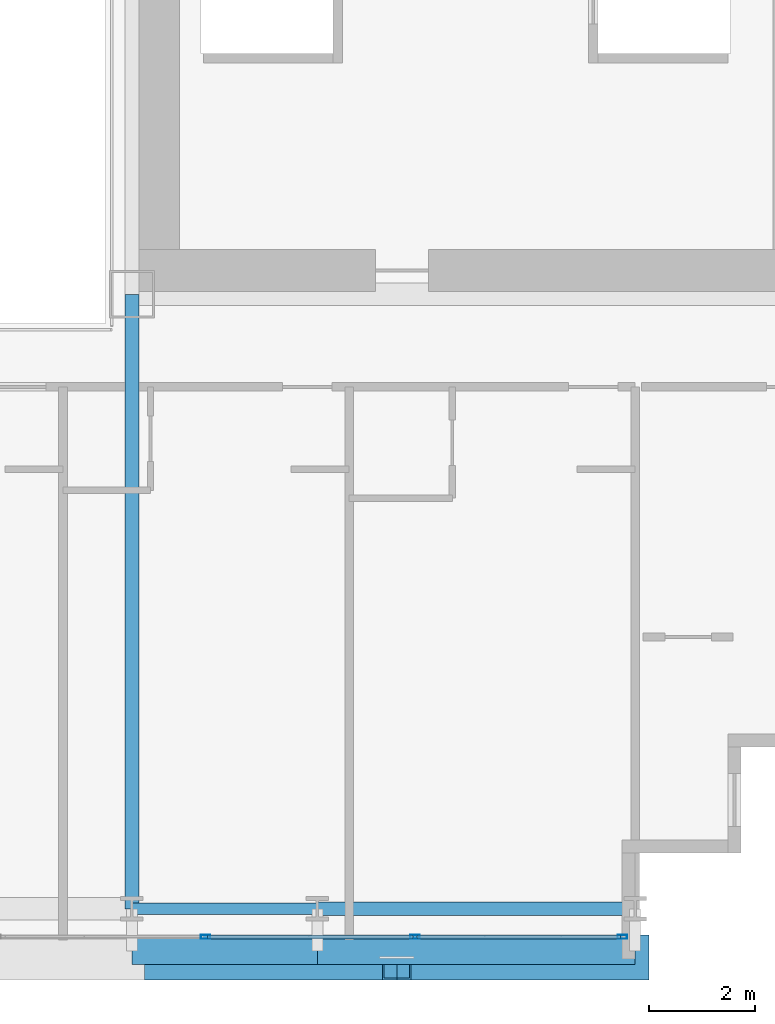
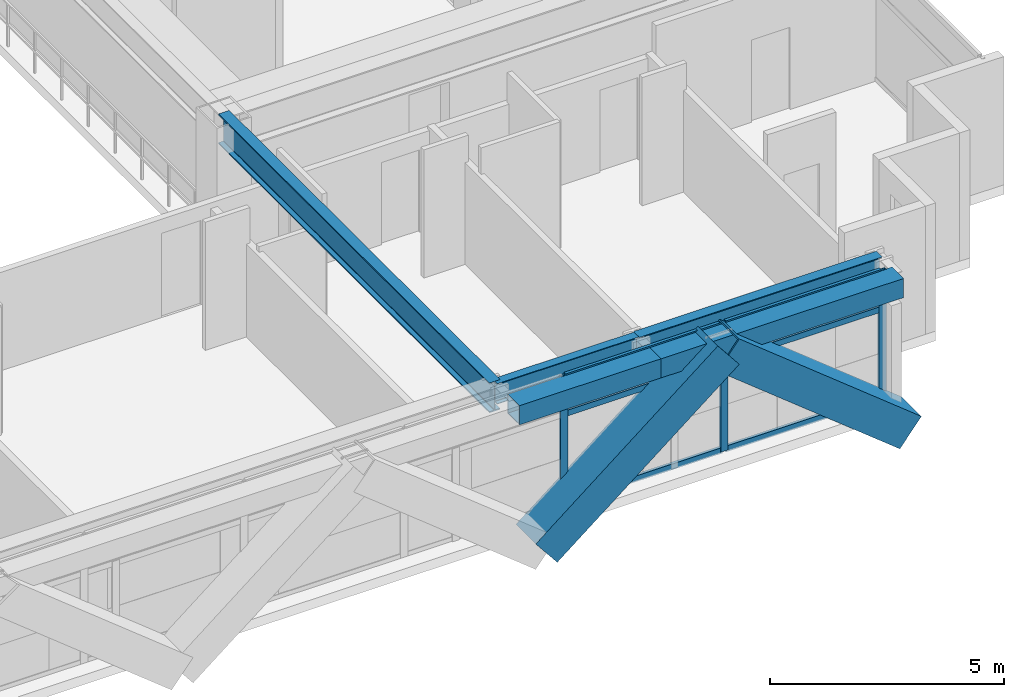
# One storey, part 10 of 35: 11 members, 5 beams, 1 element without a shape of its own.
"""IFC4 building model written with IfcOpenShell, lengths in metres."""

from ifc_helpers import new_model, si_unit, direction, frame, origin, origin_2d, place, context, subcontext, project, spatial, hollow_rectangle, i_section, extrude, source, transform, mapped, material, layer, layer_set, material_profile, profile_set, type_object, element, aggregate, save


model = new_model("IFC4")

# Units and contexts
model_context = context("Model", 3, precision=1e-05, world=origin(), true_north=direction((0.0, 1.0)))
body_context = subcontext(model_context, "Body", "Model", "MODEL_VIEW")
ifc_project = project(units=[si_unit("LENGTHUNIT", "METRE"), si_unit("AREAUNIT", "SQUARE_METRE"), si_unit("VOLUMEUNIT", "CUBIC_METRE"), si_unit("PLANEANGLEUNIT", "RADIAN"), si_unit("MASSUNIT", "GRAM", prefix="KILO")], contexts=[model_context])

# Site, building, storey
site_placement = place(None, origin())
site = spatial("IfcSite", under=ifc_project, at=site_placement, CompositionType="ELEMENT")
building_placement = place(site_placement, origin())
building = spatial("IfcBuilding", under=site, at=building_placement, Name="Ocotamira Hotel", CompositionType="ELEMENT")
storey_placement = place(building_placement, frame((0.0, 0.0, 63.60009765625)))
storey = spatial("IfcBuildingStorey", under=building, at=storey_placement, Name="L15", CompositionType="ELEMENT", Elevation=63.60009765625)

# Beams
ifc_material_1 = material(Name="Steel ASTM A992 Grade 50", Category="steel")
ifc_material_profile_1 = material_profile(ifc_material_1, i_section(OverallWidth=0.256103515625, OverallDepth=0.693115234375, WebThickness=0.014404296875, FlangeThickness=0.023681640625, FilletRadius=0.01611328125, at=origin_2d()), Name="W27X114")
ifc_profile_set_1 = profile_set([ifc_material_profile_1], Name="Steel ASTM A992 Grade 50")
beam_type_1 = type_object("IfcBeamType", Name="BM-PRIM-W27X114", PredefinedType="BEAM", material=ifc_profile_set_1)
shared_shape_1 = source(origin(), body_context, "Body", "SweptSolid", [
    extrude(i_section(OverallWidth=0.256103515625, OverallDepth=0.693115234375, WebThickness=0.014404296875, FlangeThickness=0.023681640625, FilletRadius=0.01611328125, at=origin_2d()), origin(), (0.0, 0.0, 1.0), 6.0),
])
beam_1_placement = place(storey_placement, frame((44.0, 2.949951171875, 3.00341796875), z_axis=(1.0, 0.0, 0.0), x_axis=(0.0, 1.0, 0.0)))
element("IfcBeam", 1, at=beam_1_placement, inside=storey, type_object=beam_type_1, Name="L15 Girder Y2.95 X44-50", PredefinedType="BEAM", context=body_context, shape_type="MappedRepresentation", body=[
    mapped(shared_shape_1, transform((0.0, 0.0, 0.0), scale=1.0)),
])
ifc_material_profile_2 = material_profile(ifc_material_1, i_section(OverallWidth=0.2099609375, OverallDepth=0.537109375, WebThickness=0.010986328125, FlangeThickness=0.017333984375, FilletRadius=0.012939453125, at=origin_2d()), Name="W21X68")
ifc_profile_set_2 = profile_set([ifc_material_profile_2], Name="Steel ASTM A992 Grade 50")
beam_type_2 = type_object("IfcBeamType", Name="BM-SEC-W21X68", PredefinedType="JOIST", material=ifc_profile_set_2)
shared_shape_2 = source(origin(), body_context, "Body", "SweptSolid", [
    extrude(i_section(OverallWidth=0.2099609375, OverallDepth=0.537109375, WebThickness=0.010986328125, FlangeThickness=0.017333984375, FilletRadius=0.012939453125, at=origin_2d()), origin(), (0.0, 0.0, 1.0), 3.5),
])
beam_2_placement = place(storey_placement, frame((40.5, 2.949951171875, 3.081298828125), z_axis=(1.0, 0.0, 0.0), x_axis=(0.0, 1.0, 0.0)))
element("IfcBeam", 2, at=beam_2_placement, inside=storey, type_object=beam_type_2, Name="L15 Girder Y2.95 X40.5-44", PredefinedType="JOIST", context=body_context, shape_type="MappedRepresentation", body=[
    mapped(shared_shape_2, transform((0.0, 0.0, 0.0), scale=1.0)),
])
ifc_material_profile_3 = material_profile(ifc_material_1, i_section(OverallWidth=0.26611328125, OverallDepth=0.779052734375, WebThickness=0.0166015625, FlangeThickness=0.030029296875, FilletRadius=0.01806640625, at=origin_2d()), Name="W30X148")
ifc_profile_set_3 = profile_set([ifc_material_profile_3], Name="Steel ASTM A992 Grade 50")
beam_type_3 = type_object("IfcBeamType", Name="BM-GIRD-W30X148", PredefinedType="BEAM", material=ifc_profile_set_3)
shared_shape_3 = source(origin(), body_context, "Body", "SweptSolid", [
    extrude(i_section(OverallWidth=0.26611328125, OverallDepth=0.779052734375, WebThickness=0.0166015625, FlangeThickness=0.030029296875, FilletRadius=0.01806640625, at=origin_2d()), origin(), (0.0, 0.0, 1.0), 11.60009765625),
])
beam_3_placement = place(storey_placement, frame((40.5, 2.949951171875, 2.96044921875), z_axis=(0.0, 1.0, 0.0), x_axis=(-1.0, 0.0, 0.0)))
element("IfcBeam", 3, at=beam_3_placement, inside=storey, type_object=beam_type_3, Name="L15 Beam X40.5 Y2.95-14.55", PredefinedType="BEAM", context=body_context, shape_type="MappedRepresentation", body=[
    mapped(shared_shape_3, transform((0.0, 0.0, 0.0), scale=1.0)),
])
ifc_material_2 = material(Name="Steel ASTM A500 Grade C", Category="steel")
ifc_material_profile_4 = material_profile(ifc_material_2, hollow_rectangle(XDim=0.5, YDim=0.5, WallThickness=0.02001953125, at=origin_2d()), Name="HSS500X500X20")
ifc_profile_set_4 = profile_set([ifc_material_profile_4], Name="Steel ASTM A500 Grade C")
beam_type_4 = type_object("IfcBeamType", Name="BM-SPAN-HSS500", PredefinedType="USERDEFINED", material=ifc_profile_set_4)
shared_shape_4 = source(origin(), body_context, "Body", "SweptSolid", [
    extrude(hollow_rectangle(XDim=0.5, YDim=0.5, WallThickness=0.02001953125, at=origin_2d()), origin(), (0.0, 0.0, 1.0), 6.0),
])
beam_4_placement = place(storey_placement, frame((44.0, 2.14990234375, 3.099853515625), z_axis=(1.0, 0.0, 0.0), x_axis=(0.0, 1.0, 0.0)))
element("IfcBeam", 4, at=beam_4_placement, inside=storey, type_object=beam_type_4, Name="L15 Edge Spandrel S X44-50", ObjectType="SPANDREL", PredefinedType="USERDEFINED", context=body_context, shape_type="MappedRepresentation", body=[
    mapped(shared_shape_4, transform((0.0, 0.0, 0.0), scale=1.0)),
])
shared_shape_5 = source(origin(), body_context, "Body", "SweptSolid", [
    extrude(hollow_rectangle(XDim=0.5, YDim=0.5, WallThickness=0.02001953125, at=origin_2d()), origin(), (0.0, 0.0, 1.0), 3.5),
])
beam_5_placement = place(storey_placement, frame((40.5, 2.14990234375, 3.099853515625), z_axis=(1.0, 0.0, 0.0), x_axis=(0.0, 1.0, 0.0)))
element("IfcBeam", 5, at=beam_5_placement, inside=storey, type_object=beam_type_4, Name="L15 Edge Spandrel S X40.5-44", ObjectType="SPANDREL", PredefinedType="USERDEFINED", context=body_context, shape_type="MappedRepresentation", body=[
    mapped(shared_shape_5, transform((0.0, 0.0, 0.0), scale=1.0)),
])

# Members
ifc_material_3 = material(Name="Pale-metal coated steel ASTM A913 Grade 65", Category="steel")
ifc_material_profile_5 = material_profile(ifc_material_3, hollow_rectangle(XDim=0.85009765625, YDim=0.85009765625, WallThickness=0.035888671875, at=origin_2d()), Name="BOX850X850X36")
ifc_profile_set_5 = profile_set([ifc_material_profile_5], Name="Pale-metal coated steel ASTM A913 Grade 65")
member_type_1 = type_object("IfcMemberType", Name="MEM-EXO-BOX850", PredefinedType="BRACE", material=ifc_profile_set_5)
shared_shape_6 = source(origin(), body_context, "Body", "SweptSolid", [
    extrude(hollow_rectangle(XDim=0.85009765625, YDim=0.85009765625, WallThickness=0.035888671875, at=origin_2d()), origin(), (0.0, 0.0, 1.0), 5.7626953125),
])
for number, where, z_axis, x_axis, name in (
    (6, (41.0, 2.030029296875, -0.5), (0.780881208953, 0.0, 0.624679547852), (0.0, 1.0, 0.0), "L15 Exoskeleton Diagrid S3.1"),
    (7, (50.0, 2.030029296875, -0.5), (-0.780881208953, 0.0, 0.624679547852), (0.0, -1.0, 0.0), "L15 Exoskeleton Diagrid S3.2"),
):
    element("IfcMember", number, at=place(storey_placement, frame(where, z_axis=z_axis, x_axis=x_axis)), inside=storey, type_object=member_type_1, Name=name, PredefinedType="BRACE", context=body_context, shape_type="MappedRepresentation", body=[
        mapped(shared_shape_6, transform((0.0, 0.0, 0.0), scale=1.0)),
    ])

# Curtain wall, members
ifc_material_4 = material(Name="Anodised pale-metal aluminium and solar glass", Category="aluminium")
ifc_layer = layer(ifc_material_4, 0.179931640625)
ifc_layer_set = layer_set([ifc_layer], Name="Anodised pale-metal aluminium and solar glass")
curtain_wall_type = type_object("IfcCurtainWallType", Name="CW-SYS2-Z1", PredefinedType="NOTDEFINED", material=ifc_layer_set)
curtain_wall_placement = place(storey_placement, origin())
curtain_wall = element("IfcCurtainWall", 8, at=curtain_wall_placement, inside=storey, type_object=curtain_wall_type, Name="L15 Curtain Wall CW-2 CW-L15-S1", PredefinedType="NOTDEFINED")
ifc_material_5 = material(Name="Anodised pale-metal aluminium 6063-T6", Category="aluminium")
ifc_material_profile_6 = material_profile(ifc_material_5, hollow_rectangle(XDim=0.080078125, YDim=0.179931640625, WallThickness=0.006103515625, at=origin_2d()), Name="HSS180X80X6")
ifc_profile_set_6 = profile_set([ifc_material_profile_6], Name="Anodised pale-metal aluminium 6063-T6")
member_type_2 = type_object("IfcMemberType", Name="CWM-180X75", PredefinedType="MULLION", material=ifc_profile_set_6)
shared_shape_7 = source(origin(), body_context, "Body", "SweptSolid", [
    extrude(hollow_rectangle(XDim=0.080078125, YDim=0.179931640625, WallThickness=0.006103515625, at=origin_2d()), origin(), (0.0, 0.0, 1.0), 3.349853515625),
])
member_1_placement = place(storey_placement, frame((41.888916015625, 2.419921875, 0.0), z_axis=(0.0, 0.0, 1.0), x_axis=(0.0, 1.0, 0.0)))
member_1 = element("IfcMember", 9, at=member_1_placement, type_object=member_type_2, Name="CW-2 mullion 8", PredefinedType="MULLION", context=body_context, shape_type="MappedRepresentation", body=[
    mapped(shared_shape_7, transform((0.0, 0.0, 0.0), scale=1.0)),
])
member_2_placement = place(storey_placement, frame((45.844482421875, 2.419921875, 0.0), z_axis=(0.0, 0.0, 1.0), x_axis=(0.0, 1.0, 0.0)))
member_2 = element("IfcMember", 10, at=member_2_placement, type_object=member_type_2, Name="CW-2 mullion 9", PredefinedType="MULLION", context=body_context, shape_type="MappedRepresentation", body=[
    mapped(shared_shape_7, transform((0.0, 0.0, 0.0), scale=1.0)),
])
member_3_placement = place(storey_placement, frame((49.760009765625, 2.419921875, 0.0), z_axis=(0.0, 0.0, 1.0), x_axis=(0.0, 1.0, 0.0)))
member_3 = element("IfcMember", 11, at=member_3_placement, type_object=member_type_2, Name="CW-2 mullion 10", PredefinedType="MULLION", context=body_context, shape_type="MappedRepresentation", body=[
    mapped(shared_shape_7, transform((0.0, 0.0, 0.0), scale=1.0)),
])
ifc_material_profile_7 = material_profile(ifc_material_5, hollow_rectangle(XDim=0.074951171875, YDim=0.14990234375, WallThickness=0.006103515625, at=origin_2d()), Name="HSS150X75X6")
ifc_profile_set_7 = profile_set([ifc_material_profile_7], Name="Anodised pale-metal aluminium 6063-T6")
member_type_3 = type_object("IfcMemberType", Name="CWT-150X75", PredefinedType="USERDEFINED", material=ifc_profile_set_7)
shared_shape_8 = source(origin(), body_context, "Body", "SweptSolid", [
    extrude(hollow_rectangle(XDim=0.074951171875, YDim=0.14990234375, WallThickness=0.006103515625, at=origin_2d()), origin(), (0.0, 0.0, 1.0), 3.83544921875),
])
member_4_placement = place(storey_placement, frame((45.884521484375, 2.419921875, 0.037353515625), z_axis=(1.0, 0.0, 0.0), x_axis=(0.0, 1.0, 0.0)))
member_4 = element("IfcMember", 12, at=member_4_placement, type_object=member_type_3, Name="CW-2 transom 9.1", ObjectType="TRANSOM", PredefinedType="USERDEFINED", context=body_context, shape_type="MappedRepresentation", body=[
    mapped(shared_shape_8, transform((0.0, 0.0, 0.0), scale=1.0)),
])
member_5_placement = place(storey_placement, frame((45.884521484375, 2.419921875, 2.349853515625), z_axis=(1.0, 0.0, 0.0), x_axis=(0.0, 1.0, 0.0)))
member_5 = element("IfcMember", 13, at=member_5_placement, type_object=member_type_3, Name="CW-2 transom 9.2", ObjectType="TRANSOM", PredefinedType="USERDEFINED", context=body_context, shape_type="MappedRepresentation", body=[
    mapped(shared_shape_8, transform((0.0, 0.0, 0.0), scale=1.0)),
])
member_6_placement = place(storey_placement, frame((45.884521484375, 2.419921875, 3.3125), z_axis=(1.0, 0.0, 0.0), x_axis=(0.0, 1.0, 0.0)))
member_6 = element("IfcMember", 14, at=member_6_placement, type_object=member_type_3, Name="CW-2 transom 9.3", ObjectType="TRANSOM", PredefinedType="USERDEFINED", context=body_context, shape_type="MappedRepresentation", body=[
    mapped(shared_shape_8, transform((0.0, 0.0, 0.0), scale=1.0)),
])
shared_shape_9 = source(origin(), body_context, "Body", "SweptSolid", [
    extrude(hollow_rectangle(XDim=0.074951171875, YDim=0.14990234375, WallThickness=0.006103515625, at=origin_2d()), origin(), (0.0, 0.0, 1.0), 3.87548828125),
])
member_7_placement = place(storey_placement, frame((41.928955078125, 2.419921875, 0.037353515625), z_axis=(1.0, 0.0, 0.0), x_axis=(0.0, 1.0, 0.0)))
member_7 = element("IfcMember", 15, at=member_7_placement, type_object=member_type_3, Name="CW-2 transom 8.1", ObjectType="TRANSOM", PredefinedType="USERDEFINED", context=body_context, shape_type="MappedRepresentation", body=[
    mapped(shared_shape_9, transform((0.0, 0.0, 0.0), scale=1.0)),
])
member_8_placement = place(storey_placement, frame((41.928955078125, 2.419921875, 2.349853515625), z_axis=(1.0, 0.0, 0.0), x_axis=(0.0, 1.0, 0.0)))
member_8 = element("IfcMember", 16, at=member_8_placement, type_object=member_type_3, Name="CW-2 transom 8.2", ObjectType="TRANSOM", PredefinedType="USERDEFINED", context=body_context, shape_type="MappedRepresentation", body=[
    mapped(shared_shape_9, transform((0.0, 0.0, 0.0), scale=1.0)),
])
member_9_placement = place(storey_placement, frame((41.928955078125, 2.419921875, 3.3125), z_axis=(1.0, 0.0, 0.0), x_axis=(0.0, 1.0, 0.0)))
member_9 = element("IfcMember", 17, at=member_9_placement, type_object=member_type_3, Name="CW-2 transom 8.3", ObjectType="TRANSOM", PredefinedType="USERDEFINED", context=body_context, shape_type="MappedRepresentation", body=[
    mapped(shared_shape_9, transform((0.0, 0.0, 0.0), scale=1.0)),
])
aggregate(curtain_wall, [member_1, member_2, member_3, member_7, member_8, member_9, member_4, member_5, member_6])

save(model, "model.ifc")
